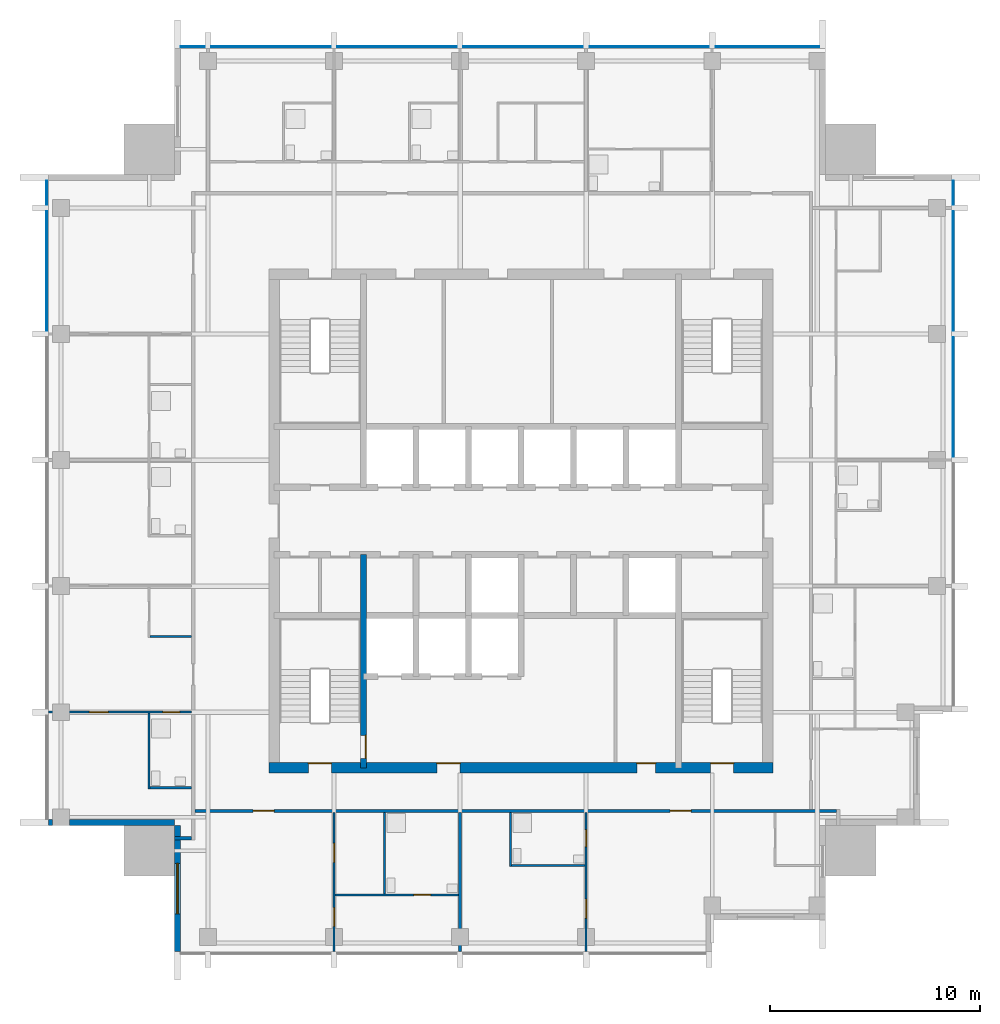
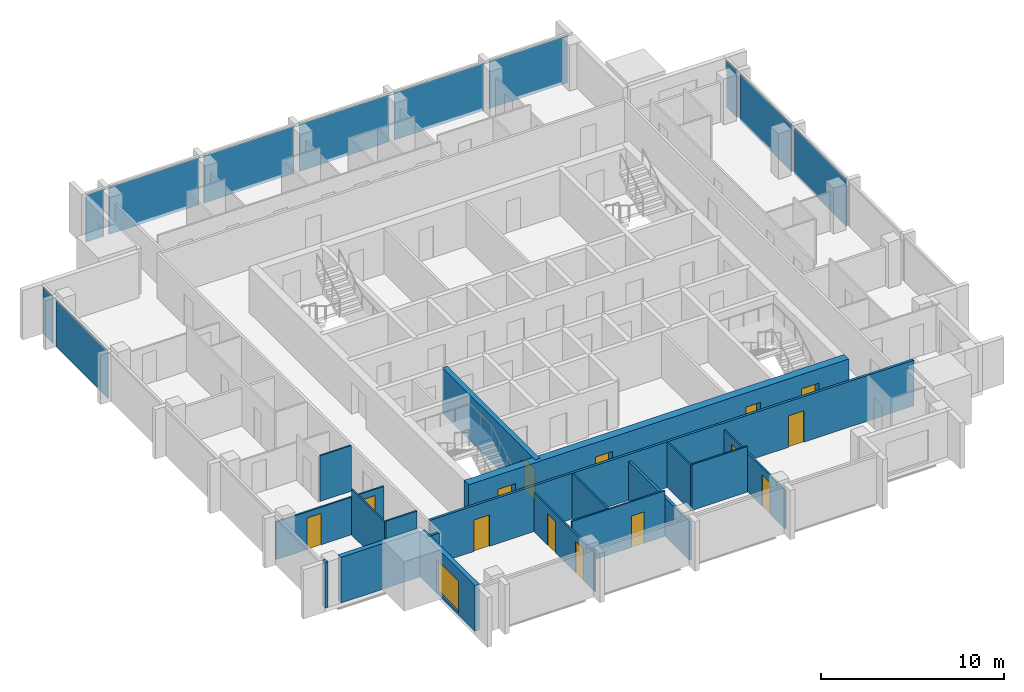
# One storey, part 3 of 9: 18 walls, 14 doors, 11 plates, 1 window, 15 openings, 3 elements without a shape of their own.
"""IFC4 building model written with IfcOpenShell, lengths in metres."""

from ifc_helpers import new_model, si_unit, direction, frame, frame_2d, origin, origin_2d, place, context, subcontext, project, spatial, rectangle, extrude, material, layer, layer_set, type_object, element, fill, aggregate, save


model = new_model("IFC4")

# Units and contexts
model_context = context("Model", 3, precision=1e-05, world=origin(), true_north=direction((0.0, 1.0)))
body_context = subcontext(model_context, "Body", "Model", "MODEL_VIEW")
ifc_project = project(units=[si_unit("LENGTHUNIT", "METRE"), si_unit("AREAUNIT", "SQUARE_METRE"), si_unit("VOLUMEUNIT", "CUBIC_METRE"), si_unit("PLANEANGLEUNIT", "RADIAN"), si_unit("MASSUNIT", "GRAM", prefix="KILO")], contexts=[model_context])

# Site, building, storey
site_placement = place(None, origin())
site = spatial("IfcSite", under=ifc_project, at=site_placement, CompositionType="ELEMENT")
building_placement = place(site_placement, origin())
building = spatial("IfcBuilding", under=site, at=building_placement, Name="Amberfall Residences", CompositionType="ELEMENT")
storey_placement = place(building_placement, frame((0.0, 0.0, 252.10009765625)))
storey = spatial("IfcBuildingStorey", under=building, at=storey_placement, Name="L67", CompositionType="ELEMENT", Elevation=252.10009765625)

# Curtain wall, plates
ifc_material_1 = material(Name="Bronze anodised aluminium and glass", Category="aluminium")
curtain_wall_type = type_object("IfcCurtainWallType", Name="Curtain wall CW1 tower unit", PredefinedType="USERDEFINED", material=ifc_material_1)
curtain_wall_1_placement = place(storey_placement, origin())
curtain_wall_1 = element("IfcCurtainWall", 1, at=curtain_wall_1_placement, inside=storey, type_object=curtain_wall_type, Name="Curtain wall L67 E E3", ObjectType="UNITISED CURTAIN WALL", PredefinedType="USERDEFINED")
ifc_material_2 = material(Name="Tinted double glazed unit", Category="glass")
ifc_layer_1 = layer(ifc_material_2, 0.035888671875)
ifc_layer_set_1 = layer_set([ifc_layer_1], Name="CW1 panel 36 glazing")
plate_type = type_object("IfcPlateType", Name="CW1 panel 36 glazing", PredefinedType="CURTAIN_PANEL", material=ifc_layer_set_1)
plate_1_placement = place(storey_placement, frame((95.074951171875, 51.39990234375, -0.25), z_axis=(0.0, 0.0, 1.0), x_axis=(0.0, 1.0, 0.0)))
plate_1 = element("IfcPlate", 2, at=plate_1_placement, type_object=plate_type, Name="CW1 panel 3.1", PredefinedType="CURTAIN_PANEL", context=body_context, shape_type="SweptSolid", body=[
    extrude(rectangle(XDim=5.676025390625, YDim=0.035888671875, at=origin_2d()), origin(), (0.0, 0.0, 1.0), 3.14990234375),
])
plate_2_placement = place(storey_placement, frame((95.074951171875, 57.39990234375, -0.25), z_axis=(0.0, 0.0, 1.0), x_axis=(0.0, 1.0, 0.0)))
plate_2 = element("IfcPlate", 3, at=plate_2_placement, type_object=plate_type, Name="CW1 panel 4.1", PredefinedType="CURTAIN_PANEL", context=body_context, shape_type="SweptSolid", body=[
    extrude(rectangle(XDim=5.676025390625, YDim=0.035888671875, at=origin_2d()), origin(), (0.0, 0.0, 1.0), 3.14990234375),
])
plate_3_placement = place(storey_placement, frame((95.074951171875, 61.125, -0.25), z_axis=(0.0, 0.0, 1.0), x_axis=(0.0, 1.0, 0.0)))
plate_3 = element("IfcPlate", 4, at=plate_3_placement, type_object=plate_type, Name="CW1 panel 5.1", PredefinedType="CURTAIN_PANEL", context=body_context, shape_type="SweptSolid", body=[
    extrude(rectangle(XDim=1.1259765625, YDim=0.035888671875, at=origin_2d()), origin(), (0.0, 0.0, 1.0), 3.14990234375),
])
aggregate(curtain_wall_1, [plate_1, plate_2, plate_3])

curtain_wall_2_placement = place(storey_placement, origin())
curtain_wall_2 = element("IfcCurtainWall", 5, at=curtain_wall_2_placement, inside=storey, type_object=curtain_wall_type, Name="Curtain wall L67 N N1", ObjectType="UNITISED CURTAIN WALL", PredefinedType="USERDEFINED")
plate_4_placement = place(storey_placement, frame((86.22509765625, 68.074951171875, -0.25), z_axis=(0.0, 0.0, 1.0), x_axis=(-1.0, 0.0, 0.0)))
plate_4 = element("IfcPlate", 6, at=plate_4_placement, type_object=plate_type, Name="CW1 panel 1.1", PredefinedType="CURTAIN_PANEL", context=body_context, shape_type="SweptSolid", body=[
    extrude(rectangle(XDim=4.926025390625, YDim=0.035888671875, at=origin_2d()), origin(), (0.0, 0.0, 1.0), 3.14990234375),
])
plate_5_placement = place(storey_placement, frame((80.60009765625, 68.074951171875, -0.25), z_axis=(0.0, 0.0, 1.0), x_axis=(-1.0, 0.0, 0.0)))
plate_5 = element("IfcPlate", 7, at=plate_5_placement, type_object=plate_type, Name="CW1 panel 2.1", PredefinedType="CURTAIN_PANEL", context=body_context, shape_type="SweptSolid", body=[
    extrude(rectangle(XDim=5.676025390625, YDim=0.035888671875, at=origin_2d()), origin(), (0.0, 0.0, 1.0), 3.14990234375),
])
plate_6_placement = place(storey_placement, frame((74.60009765625, 68.074951171875, -0.25), z_axis=(0.0, 0.0, 1.0), x_axis=(-1.0, 0.0, 0.0)))
plate_6 = element("IfcPlate", 8, at=plate_6_placement, type_object=plate_type, Name="CW1 panel 3.1", PredefinedType="CURTAIN_PANEL", context=body_context, shape_type="SweptSolid", body=[
    extrude(rectangle(XDim=5.676025390625, YDim=0.035888671875, at=origin_2d()), origin(), (0.0, 0.0, 1.0), 3.14990234375),
])
plate_7_placement = place(storey_placement, frame((68.60009765625, 68.074951171875, -0.25), z_axis=(0.0, 0.0, 1.0), x_axis=(-1.0, 0.0, 0.0)))
plate_7 = element("IfcPlate", 9, at=plate_7_placement, type_object=plate_type, Name="CW1 panel 4.1", PredefinedType="CURTAIN_PANEL", context=body_context, shape_type="SweptSolid", body=[
    extrude(rectangle(XDim=5.676025390625, YDim=0.035888671875, at=origin_2d()), origin(), (0.0, 0.0, 1.0), 3.14990234375),
])
plate_8_placement = place(storey_placement, frame((62.60009765625, 68.074951171875, -0.25), z_axis=(0.0, 0.0, 1.0), x_axis=(-1.0, 0.0, 0.0)))
plate_8 = element("IfcPlate", 10, at=plate_8_placement, type_object=plate_type, Name="CW1 panel 5.1", PredefinedType="CURTAIN_PANEL", context=body_context, shape_type="SweptSolid", body=[
    extrude(rectangle(XDim=5.676025390625, YDim=0.035888671875, at=origin_2d()), origin(), (0.0, 0.0, 1.0), 3.14990234375),
])
plate_9_placement = place(storey_placement, frame((58.875, 68.074951171875, -0.25), z_axis=(0.0, 0.0, 1.0), x_axis=(-1.0, 0.0, 0.0)))
plate_9 = element("IfcPlate", 11, at=plate_9_placement, type_object=plate_type, Name="CW1 panel 6.1", PredefinedType="CURTAIN_PANEL", context=body_context, shape_type="SweptSolid", body=[
    extrude(rectangle(XDim=1.1259765625, YDim=0.035888671875, at=origin_2d()), origin(), (0.0, 0.0, 1.0), 3.14990234375),
])
aggregate(curtain_wall_2, [plate_4, plate_5, plate_6, plate_7, plate_8, plate_9])

curtain_wall_3_placement = place(storey_placement, origin())
curtain_wall_3 = element("IfcCurtainWall", 12, at=curtain_wall_3_placement, inside=storey, type_object=curtain_wall_type, Name="Curtain wall L67 W W1", ObjectType="UNITISED CURTAIN WALL", PredefinedType="USERDEFINED")
plate_10_placement = place(storey_placement, frame((51.925048828125, 61.125, -0.25), z_axis=(0.0, 0.0, 1.0), x_axis=(0.0, -1.0, 0.0)))
plate_10 = element("IfcPlate", 13, at=plate_10_placement, type_object=plate_type, Name="CW1 panel 1.1", PredefinedType="CURTAIN_PANEL", context=body_context, shape_type="SweptSolid", body=[
    extrude(rectangle(XDim=1.1259765625, YDim=0.035888671875, at=origin_2d()), origin(), (0.0, 0.0, 1.0), 3.14990234375),
])
plate_11_placement = place(storey_placement, frame((51.925048828125, 57.39990234375, -0.25), z_axis=(0.0, 0.0, 1.0), x_axis=(0.0, -1.0, 0.0)))
plate_11 = element("IfcPlate", 14, at=plate_11_placement, type_object=plate_type, Name="CW1 panel 2.1", PredefinedType="CURTAIN_PANEL", context=body_context, shape_type="SweptSolid", body=[
    extrude(rectangle(XDim=5.676025390625, YDim=0.035888671875, at=origin_2d()), origin(), (0.0, 0.0, 1.0), 3.14990234375),
])
aggregate(curtain_wall_3, [plate_10, plate_11])

# Walls
ifc_material_3 = material(Name="Pale stone cladding on insulated backing", Category="masonry")
ifc_layer_2 = layer(ifc_material_3, 0.300048828125)
ifc_layer_set_2 = layer_set([ifc_layer_2], Name="Bronze clad wall 300")
wall_type_1 = type_object("IfcWallType", Name="Bronze clad wall 300", PredefinedType="SOLIDWALL", material=ifc_layer_set_2)
wall_1_placement = place(storey_placement, frame((52.0, 31.14990234375, 0.0), z_axis=(0.0, 0.0, 1.0), x_axis=(1.0, 0.0, 0.0)))
element("IfcWall", 15, at=wall_1_placement, inside=storey, type_object=wall_type_1, Name="External wall L67 SW", PredefinedType="SOLIDWALL", context=body_context, shape_type="SweptSolid", body=[
    extrude(rectangle(XDim=0.199951171875, YDim=0.300048828125, at=frame_2d((0.10009765625, 0.0))), origin(), (0.0, 0.0, 1.0), 3.0498046875),
])
wall_2_placement = place(storey_placement, frame((53.0, 31.14990234375, 0.0), z_axis=(0.0, 0.0, 1.0), x_axis=(1.0, 0.0, 0.0)))
element("IfcWall", 16, at=wall_2_placement, inside=storey, type_object=wall_type_1, Name="External wall L67 SW", PredefinedType="SOLIDWALL", context=body_context, shape_type="SweptSolid", body=[
    extrude(rectangle(XDim=5.0, YDim=0.300048828125, at=frame_2d((2.5, 0.0))), origin(), (0.0, 0.0, 1.0), 3.0498046875),
])

# Wall, opening, window
wall_3_placement = place(storey_placement, frame((58.14990234375, 31.0, 0.0), z_axis=(0.0, 0.0, 1.0), x_axis=(0.0, -1.0, 0.0)))
wall_3 = element("IfcWall", 17, at=wall_3_placement, inside=storey, type_object=wall_type_1, Name="External wall L67 SW", PredefinedType="SOLIDWALL", context=body_context, shape_type="SweptSolid", body=[
    extrude(rectangle(XDim=6.0, YDim=0.300048828125, at=frame_2d((3.0, 0.0))), origin(), (0.0, 0.0, 1.0), 3.0498046875),
])
opening_1_placement = place(wall_3_placement, frame((1.800048828125, 0.0, 0.14990234375)))
opening_1 = element("IfcOpeningElement", 18, at=opening_1_placement, cuts=wall_3, Name="Opening WN5", PredefinedType="OPENING", context=body_context, shape_type="SweptSolid", body=[
    extrude(rectangle(XDim=2.39990234375, YDim=2.10009765625, at=frame_2d((1.199951171875, 1.050048828125))), frame((0.0, 0.159912109375, 0.0), z_axis=(0.0, -1.0, 0.0), x_axis=(1.0, 0.0, 0.0)), (0.0, 0.0, 1.0), 0.320068359375),
])
ifc_material_4 = material(Name="Bronze aluminium framed glazing", Category="aluminium")
window_type = type_object("IfcWindowType", Name="Glazed opening 2400 x 2100 bronze", PartitioningType="DOUBLE_PANEL_VERTICAL", PredefinedType="WINDOW", material=ifc_material_4)
window_placement = place(opening_1_placement, origin())
window = element("IfcWindow", 19, at=window_placement, inside=storey, type_object=window_type, Name="Window L67 SW", OverallHeight=2.10009765625, OverallWidth=2.39990234375, PartitioningType="DOUBLE_PANEL_VERTICAL", PredefinedType="WINDOW", context=body_context, shape_type="SweptSolid", body=[
    extrude(rectangle(XDim=2.39990234375, YDim=2.10009765625, at=frame_2d((1.199951171875, 1.050048828125))), frame((0.0, 0.030029296875, 0.0), z_axis=(0.0, -1.0, 0.0), x_axis=(1.0, 0.0, 0.0)), (0.0, 0.0, 1.0), 0.06005859375),
])
fill(opening_1, window)

# Wall, opening, door
ifc_material_5 = material(Name="Concrete C50", Category="concrete")
ifc_layer_3 = layer(ifc_material_5, 0.300048828125)
ifc_layer_set_3 = layer_set([ifc_layer_3], Name="Core wall 300 C50")
wall_type_2 = type_object("IfcWallType", Name="Core wall 300 C50", PredefinedType="SHEAR", material=ifc_layer_set_3)
wall_4_placement = place(storey_placement, frame((67.0, 33.75, 0.0), z_axis=(0.0, 0.0, 1.0), x_axis=(0.0, 1.0, 0.0)))
wall_4 = element("IfcWall", 20, at=wall_4_placement, inside=storey, type_object=wall_type_2, Name="Core wall RW10 L67 V45S", PredefinedType="SHEAR", context=body_context, shape_type="SweptSolid", body=[
    extrude(rectangle(XDim=10.14990234375, YDim=0.300048828125, at=frame_2d((5.074951171875, 0.0))), origin(), (0.0, 0.0, 1.0), 3.0498046875),
])
opening_2_placement = place(wall_4_placement, frame((0.449951171875, 0.0, 0.0)))
opening_2 = element("IfcOpeningElement", 21, at=opening_2_placement, cuts=wall_4, Name="Opening FL1", PredefinedType="OPENING", context=body_context, shape_type="SweptSolid", body=[
    extrude(rectangle(XDim=1.10009765625, YDim=2.10009765625, at=frame_2d((0.550048828125, 1.050048828125))), frame((0.0, 0.159912109375, 0.0), z_axis=(0.0, -1.0, 0.0), x_axis=(1.0, 0.0, 0.0)), (0.0, 0.0, 1.0), 0.320068359375),
])
ifc_material_6 = material(Name="Steel fire door set", Category="steel")
door_type_1 = type_object("IfcDoorType", Name="Firefighting lobby door 1100 x 2100", OperationType="SINGLE_SWING_LEFT", PredefinedType="DOOR", material=ifc_material_6)
door_1_placement = place(opening_2_placement, origin())
door_1 = element("IfcDoor", 22, at=door_1_placement, inside=storey, type_object=door_type_1, Name="FL1 L67", OperationType="SINGLE_SWING_RIGHT", OverallHeight=2.10009765625, OverallWidth=1.10009765625, PredefinedType="DOOR", context=body_context, shape_type="SweptSolid", body=[
    extrude(rectangle(XDim=1.10009765625, YDim=2.10009765625, at=frame_2d((0.550048828125, 1.050048828125))), frame((0.0, -0.08740234375, 0.0), z_axis=(0.0, -1.0, 0.0), x_axis=(1.0, 0.0, 0.0)), (0.0, 0.0, 1.0), 0.050048828125),
])
fill(opening_2, door_1)

# Wall, openings, doors
ifc_layer_4 = layer(ifc_material_5, 0.5)
ifc_layer_set_4 = layer_set([ifc_layer_4], Name="Core wall 500 C50")
wall_type_3 = type_object("IfcWallType", Name="Core wall 500 C50", PredefinedType="SHEAR", material=ifc_layer_set_4)
wall_5_placement = place(storey_placement, frame((62.5, 33.75, 0.0), z_axis=(0.0, 0.0, 1.0), x_axis=(1.0, 0.0, 0.0)))
wall_5 = element("IfcWall", 23, at=wall_5_placement, inside=storey, type_object=wall_type_3, Name="Core wall RW9 L67 OS", PredefinedType="SHEAR", context=body_context, shape_type="SweptSolid", body=[
    extrude(rectangle(XDim=24.0, YDim=0.5, at=frame_2d((12.0, 0.0))), origin(), (0.0, 0.0, 1.0), 3.0498046875),
])
opening_3_placement = place(wall_5_placement, frame((1.875, 0.0, 0.0)))
opening_3 = element("IfcOpeningElement", 24, at=opening_3_placement, cuts=wall_5, Name="Opening SD1", PredefinedType="OPENING", context=body_context, shape_type="SweptSolid", body=[
    extrude(rectangle(XDim=1.10009765625, YDim=2.10009765625, at=frame_2d((0.550048828125, 1.050048828125))), frame((0.0, 0.260009765625, 0.0), z_axis=(0.0, -1.0, 0.0), x_axis=(1.0, 0.0, 0.0)), (0.0, 0.0, 1.0), 0.52001953125),
])
opening_4_placement = place(wall_5_placement, frame((21.02490234375, 0.0, 0.0)))
opening_4 = element("IfcOpeningElement", 25, at=opening_4_placement, cuts=wall_5, Name="Opening SD1", PredefinedType="OPENING", context=body_context, shape_type="SweptSolid", body=[
    extrude(rectangle(XDim=1.10009765625, YDim=2.10009765625, at=frame_2d((0.550048828125, 1.050048828125))), frame((0.0, 0.260009765625, 0.0), z_axis=(0.0, -1.0, 0.0), x_axis=(1.0, 0.0, 0.0)), (0.0, 0.0, 1.0), 0.52001953125),
])
opening_5_placement = place(wall_5_placement, frame((8.0, 0.0, 0.0)))
opening_5 = element("IfcOpeningElement", 26, at=opening_5_placement, cuts=wall_5, Name="Opening FL1", PredefinedType="OPENING", context=body_context, shape_type="SweptSolid", body=[
    extrude(rectangle(XDim=1.10009765625, YDim=2.10009765625, at=frame_2d((0.550048828125, 1.050048828125))), frame((0.0, 0.260009765625, 0.0), z_axis=(0.0, -1.0, 0.0), x_axis=(1.0, 0.0, 0.0)), (0.0, 0.0, 1.0), 0.52001953125),
])
opening_6_placement = place(wall_5_placement, frame((17.512451171875, 0.0, 0.0)))
opening_6 = element("IfcOpeningElement", 27, at=opening_6_placement, cuts=wall_5, Name="Opening RD1", PredefinedType="OPENING", context=body_context, shape_type="SweptSolid", body=[
    extrude(rectangle(XDim=0.89990234375, YDim=2.10009765625, at=frame_2d((0.449951171875, 1.050048828125))), frame((0.0, 0.260009765625, 0.0), z_axis=(0.0, -1.0, 0.0), x_axis=(1.0, 0.0, 0.0)), (0.0, 0.0, 1.0), 0.52001953125),
])
door_2_placement = place(opening_5_placement, origin())
door_2 = element("IfcDoor", 28, at=door_2_placement, inside=storey, type_object=door_type_1, Name="FL1 L67", OperationType="SINGLE_SWING_LEFT", OverallHeight=2.10009765625, OverallWidth=1.10009765625, PredefinedType="DOOR", context=body_context, shape_type="SweptSolid", body=[
    extrude(rectangle(XDim=1.10009765625, YDim=2.10009765625, at=frame_2d((0.550048828125, 1.050048828125))), frame((0.0, 0.2373046875, 0.0), z_axis=(0.0, -1.0, 0.0), x_axis=(1.0, 0.0, 0.0)), (0.0, 0.0, 1.0), 0.050048828125),
])
fill(opening_5, door_2)
door_type_2 = type_object("IfcDoorType", Name="Service room door 900 x 2100", OperationType="SINGLE_SWING_LEFT", PredefinedType="DOOR", material=ifc_material_6)
door_3_placement = place(opening_6_placement, origin())
door_3 = element("IfcDoor", 29, at=door_3_placement, inside=storey, type_object=door_type_2, Name="RD1 L67", OperationType="SINGLE_SWING_LEFT", OverallHeight=2.10009765625, OverallWidth=0.89990234375, PredefinedType="DOOR", context=body_context, shape_type="SweptSolid", body=[
    extrude(rectangle(XDim=0.89990234375, YDim=2.10009765625, at=frame_2d((0.449951171875, 1.050048828125))), frame((0.0, 0.2373046875, 0.0), z_axis=(0.0, -1.0, 0.0), x_axis=(1.0, 0.0, 0.0)), (0.0, 0.0, 1.0), 0.050048828125),
])
fill(opening_6, door_3)
door_type_3 = type_object("IfcDoorType", Name="Stair door 1100 x 2100", OperationType="SINGLE_SWING_LEFT", PredefinedType="DOOR", material=ifc_material_6)
door_4_placement = place(opening_3_placement, origin())
door_4 = element("IfcDoor", 30, at=door_4_placement, inside=storey, type_object=door_type_3, Name="SD1 L67", OperationType="SINGLE_SWING_LEFT", OverallHeight=2.10009765625, OverallWidth=1.10009765625, PredefinedType="DOOR", context=body_context, shape_type="SweptSolid", body=[
    extrude(rectangle(XDim=1.10009765625, YDim=2.10009765625, at=frame_2d((0.550048828125, 1.050048828125))), frame((0.0, 0.2373046875, 0.0), z_axis=(0.0, -1.0, 0.0), x_axis=(1.0, 0.0, 0.0)), (0.0, 0.0, 1.0), 0.050048828125),
])
fill(opening_3, door_4)
door_5_placement = place(opening_4_placement, origin())
door_5 = element("IfcDoor", 31, at=door_5_placement, inside=storey, type_object=door_type_3, Name="SD1 L67", OperationType="SINGLE_SWING_RIGHT", OverallHeight=2.10009765625, OverallWidth=1.10009765625, PredefinedType="DOOR", context=body_context, shape_type="SweptSolid", body=[
    extrude(rectangle(XDim=1.10009765625, YDim=2.10009765625, at=frame_2d((0.550048828125, 1.050048828125))), frame((0.0, 0.2373046875, 0.0), z_axis=(0.0, -1.0, 0.0), x_axis=(1.0, 0.0, 0.0)), (0.0, 0.0, 1.0), 0.050048828125),
])
fill(opening_4, door_5)

# Wall
ifc_material_7 = material(Name="Gypsum board on metal stud")
ifc_layer_5 = layer(ifc_material_7, 0.10009765625)
ifc_layer_set_5 = layer_set([ifc_layer_5], Name="Flat partition 100")
wall_type_4 = type_object("IfcWallType", Name="Flat partition 100", PredefinedType="PARTITIONING", material=ifc_layer_set_5)
wall_6_placement = place(storey_placement, frame((56.800048828125, 32.75, 0.0), z_axis=(0.0, 0.0, 1.0), x_axis=(0.0, 1.0, 0.0)))
element("IfcWall", 32, at=wall_6_placement, inside=storey, type_object=wall_type_4, Name="Partition 001", PredefinedType="PARTITIONING", context=body_context, shape_type="SweptSolid", body=[
    extrude(rectangle(XDim=3.60009765625, YDim=0.10009765625, at=frame_2d((1.800048828125, 0.0))), origin(), (0.0, 0.0, 1.0), 3.0498046875),
])

# Wall, openings, doors
wall_7_placement = place(storey_placement, frame((65.60009765625, 31.625, 0.0), z_axis=(0.0, 0.0, 1.0), x_axis=(0.0, -1.0, 0.0)))
wall_7 = element("IfcWall", 33, at=wall_7_placement, inside=storey, type_object=wall_type_4, Name="Partition 005", PredefinedType="PARTITIONING", context=body_context, shape_type="SweptSolid", body=[
    extrude(rectangle(XDim=6.625, YDim=0.10009765625, at=frame_2d((3.3125, 0.0))), origin(), (0.0, 0.0, 1.0), 2.58984375),
])
opening_7_placement = place(wall_7_placement, frame((1.47509765625, 0.0, 0.0)))
opening_7 = element("IfcOpeningElement", 34, at=opening_7_placement, cuts=wall_7, Name="Opening D41", PredefinedType="OPENING", context=body_context, shape_type="SweptSolid", body=[
    extrude(rectangle(XDim=0.89990234375, YDim=2.10009765625, at=frame_2d((0.449951171875, 1.050048828125))), frame((0.0, 0.06005859375, 0.0), z_axis=(0.0, -1.0, 0.0), x_axis=(1.0, 0.0, 0.0)), (0.0, 0.0, 1.0), 0.1201171875),
])
opening_8_placement = place(wall_7_placement, frame((4.52490234375, 0.0, 0.0)))
opening_8 = element("IfcOpeningElement", 35, at=opening_8_placement, cuts=wall_7, Name="Opening D41", PredefinedType="OPENING", context=body_context, shape_type="SweptSolid", body=[
    extrude(rectangle(XDim=0.89990234375, YDim=2.10009765625, at=frame_2d((0.449951171875, 1.050048828125))), frame((0.0, 0.06005859375, 0.0), z_axis=(0.0, -1.0, 0.0), x_axis=(1.0, 0.0, 0.0)), (0.0, 0.0, 1.0), 0.1201171875),
])
ifc_material_8 = material(Name="Timber", Category="wood")
door_type_4 = type_object("IfcDoorType", Name="Internal door 900 x 2100", OperationType="SINGLE_SWING_LEFT", PredefinedType="DOOR", material=ifc_material_8)
door_6_placement = place(opening_7_placement, origin())
door_6 = element("IfcDoor", 36, at=door_6_placement, inside=storey, type_object=door_type_4, Name="Door 6701 kitchen", OperationType="SINGLE_SWING_LEFT", OverallHeight=2.10009765625, OverallWidth=0.89990234375, PredefinedType="DOOR", context=body_context, shape_type="SweptSolid", body=[
    extrude(rectangle(XDim=0.89990234375, YDim=2.10009765625, at=frame_2d((0.449951171875, 1.050048828125))), frame((0.0, 0.02490234375, 0.0), z_axis=(0.0, -1.0, 0.0), x_axis=(1.0, 0.0, 0.0)), (0.0, 0.0, 1.0), 0.050048828125),
])
fill(opening_7, door_6)
door_7_placement = place(opening_8_placement, origin())
door_7 = element("IfcDoor", 37, at=door_7_placement, inside=storey, type_object=door_type_4, Name="Door 6701 bedroom1", OperationType="SINGLE_SWING_LEFT", OverallHeight=2.10009765625, OverallWidth=0.89990234375, PredefinedType="DOOR", context=body_context, shape_type="SweptSolid", body=[
    extrude(rectangle(XDim=0.89990234375, YDim=2.10009765625, at=frame_2d((0.449951171875, 1.050048828125))), frame((0.0, 0.02490234375, 0.0), z_axis=(0.0, -1.0, 0.0), x_axis=(1.0, 0.0, 0.0)), (0.0, 0.0, 1.0), 0.050048828125),
])
fill(opening_8, door_7)

# Walls
wall_8_placement = place(storey_placement, frame((68.0, 27.75, 0.0), z_axis=(0.0, 0.0, 1.0), x_axis=(0.0, 1.0, 0.0)))
element("IfcWall", 38, at=wall_8_placement, inside=storey, type_object=wall_type_4, Name="Partition 007", PredefinedType="PARTITIONING", context=body_context, shape_type="SweptSolid", body=[
    extrude(rectangle(XDim=3.875, YDim=0.10009765625, at=frame_2d((1.9375, 0.0))), origin(), (0.0, 0.0, 1.0), 3.0498046875),
])
wall_9_placement = place(storey_placement, frame((74.0, 29.050048828125, 0.0), z_axis=(0.0, 0.0, 1.0), x_axis=(0.0, 1.0, 0.0)))
element("IfcWall", 39, at=wall_9_placement, inside=storey, type_object=wall_type_4, Name="Partition 011", PredefinedType="PARTITIONING", context=body_context, shape_type="SweptSolid", body=[
    extrude(rectangle(XDim=2.574951171875, YDim=0.10009765625, at=frame_2d((1.28759765625, 0.0))), origin(), (0.0, 0.0, 1.0), 3.0498046875),
])

# Wall, openings, doors
wall_10_placement = place(storey_placement, frame((77.60009765625, 25.0, 0.0), z_axis=(0.0, 0.0, 1.0), x_axis=(0.0, 1.0, 0.0)))
wall_10 = element("IfcWall", 40, at=wall_10_placement, inside=storey, type_object=wall_type_4, Name="Partition 013", PredefinedType="PARTITIONING", context=body_context, shape_type="SweptSolid", body=[
    extrude(rectangle(XDim=6.625, YDim=0.10009765625, at=frame_2d((3.3125, 0.0))), origin(), (0.0, 0.0, 1.0), 2.58984375),
])
opening_9_placement = place(wall_10_placement, frame((1.60009765625, 0.0, 0.0)))
opening_9 = element("IfcOpeningElement", 41, at=opening_9_placement, cuts=wall_10, Name="Opening D41", PredefinedType="OPENING", context=body_context, shape_type="SweptSolid", body=[
    extrude(rectangle(XDim=0.89990234375, YDim=2.10009765625, at=frame_2d((0.449951171875, 1.050048828125))), frame((0.0, 0.06005859375, 0.0), z_axis=(0.0, -1.0, 0.0), x_axis=(1.0, 0.0, 0.0)), (0.0, 0.0, 1.0), 0.1201171875),
])
opening_10_placement = place(wall_10_placement, frame((5.0, 0.0, 0.0)))
opening_10 = element("IfcOpeningElement", 42, at=opening_10_placement, cuts=wall_10, Name="Opening D42", PredefinedType="OPENING", context=body_context, shape_type="SweptSolid", body=[
    extrude(rectangle(XDim=0.800048828125, YDim=2.10009765625, at=frame_2d((0.39990234375, 1.050048828125))), frame((0.0, 0.06005859375, 0.0), z_axis=(0.0, -1.0, 0.0), x_axis=(1.0, 0.0, 0.0)), (0.0, 0.0, 1.0), 0.1201171875),
])
door_type_5 = type_object("IfcDoorType", Name="Bathroom door 800 x 2100", OperationType="SINGLE_SWING_LEFT", PredefinedType="DOOR", material=ifc_material_8)
door_8_placement = place(opening_10_placement, origin())
door_8 = element("IfcDoor", 43, at=door_8_placement, inside=storey, type_object=door_type_5, Name="Door 6702 bath1", OperationType="SINGLE_SWING_LEFT", OverallHeight=2.10009765625, OverallWidth=0.800048828125, PredefinedType="DOOR", context=body_context, shape_type="SweptSolid", body=[
    extrude(rectangle(XDim=0.800048828125, YDim=2.10009765625, at=frame_2d((0.39990234375, 1.050048828125))), frame((0.0, 0.02490234375, 0.0), z_axis=(0.0, -1.0, 0.0), x_axis=(1.0, 0.0, 0.0)), (0.0, 0.0, 1.0), 0.050048828125),
])
fill(opening_10, door_8)
door_9_placement = place(opening_9_placement, origin())
door_9 = element("IfcDoor", 44, at=door_9_placement, inside=storey, type_object=door_type_4, Name="Door 6702 bedroom1", OperationType="SINGLE_SWING_LEFT", OverallHeight=2.10009765625, OverallWidth=0.89990234375, PredefinedType="DOOR", context=body_context, shape_type="SweptSolid", body=[
    extrude(rectangle(XDim=0.89990234375, YDim=2.10009765625, at=frame_2d((0.449951171875, 1.050048828125))), frame((0.0, 0.02490234375, 0.0), z_axis=(0.0, -1.0, 0.0), x_axis=(1.0, 0.0, 0.0)), (0.0, 0.0, 1.0), 0.050048828125),
])
fill(opening_9, door_9)

# Wall
wall_11_placement = place(storey_placement, frame((56.85009765625, 40.0, 0.0), z_axis=(0.0, 0.0, 1.0), x_axis=(1.0, 0.0, 0.0)))
element("IfcWall", 45, at=wall_11_placement, inside=storey, type_object=wall_type_4, Name="Partition 033", PredefinedType="PARTITIONING", context=body_context, shape_type="SweptSolid", body=[
    extrude(rectangle(XDim=1.974853515625, YDim=0.10009765625, at=frame_2d((0.9873046875, 0.0))), origin(), (0.0, 0.0, 1.0), 3.0498046875),
])

# Wall, openings, doors
wall_12_placement = place(storey_placement, frame((58.824951171875, 36.39990234375, 0.0), z_axis=(0.0, 0.0, 1.0), x_axis=(-1.0, 0.0, 0.0)))
wall_12 = element("IfcWall", 46, at=wall_12_placement, inside=storey, type_object=wall_type_4, Name="Partition 035", PredefinedType="PARTITIONING", context=body_context, shape_type="SweptSolid", body=[
    extrude(rectangle(XDim=6.824951171875, YDim=0.10009765625, at=frame_2d((3.41259765625, 0.0))), origin(), (0.0, 0.0, 1.0), 2.515869140625),
])
opening_11_placement = place(wall_12_placement, frame((3.97509765625, 0.0, 0.0)))
opening_11 = element("IfcOpeningElement", 47, at=opening_11_placement, cuts=wall_12, Name="Opening D41", PredefinedType="OPENING", context=body_context, shape_type="SweptSolid", body=[
    extrude(rectangle(XDim=0.89990234375, YDim=2.10009765625, at=frame_2d((0.449951171875, 1.050048828125))), frame((0.0, 0.06005859375, 0.0), z_axis=(0.0, -1.0, 0.0), x_axis=(1.0, 0.0, 0.0)), (0.0, 0.0, 1.0), 0.1201171875),
])
opening_12_placement = place(wall_12_placement, frame((0.574951171875, 0.0, 0.0)))
opening_12 = element("IfcOpeningElement", 48, at=opening_12_placement, cuts=wall_12, Name="Opening D42", PredefinedType="OPENING", context=body_context, shape_type="SweptSolid", body=[
    extrude(rectangle(XDim=0.800048828125, YDim=2.10009765625, at=frame_2d((0.39990234375, 1.050048828125))), frame((0.0, 0.06005859375, 0.0), z_axis=(0.0, -1.0, 0.0), x_axis=(1.0, 0.0, 0.0)), (0.0, 0.0, 1.0), 0.1201171875),
])
door_10_placement = place(opening_12_placement, origin())
door_10 = element("IfcDoor", 49, at=door_10_placement, inside=storey, type_object=door_type_5, Name="Door 6707 bath1", OperationType="SINGLE_SWING_LEFT", OverallHeight=2.10009765625, OverallWidth=0.800048828125, PredefinedType="DOOR", context=body_context, shape_type="SweptSolid", body=[
    extrude(rectangle(XDim=0.800048828125, YDim=2.10009765625, at=frame_2d((0.39990234375, 1.050048828125))), frame((0.0, 0.02490234375, 0.0), z_axis=(0.0, -1.0, 0.0), x_axis=(1.0, 0.0, 0.0)), (0.0, 0.0, 1.0), 0.050048828125),
])
fill(opening_12, door_10)
door_11_placement = place(opening_11_placement, origin())
door_11 = element("IfcDoor", 50, at=door_11_placement, inside=storey, type_object=door_type_4, Name="Door 6707 bedroom1", OperationType="SINGLE_SWING_LEFT", OverallHeight=2.10009765625, OverallWidth=0.89990234375, PredefinedType="DOOR", context=body_context, shape_type="SweptSolid", body=[
    extrude(rectangle(XDim=0.89990234375, YDim=2.10009765625, at=frame_2d((0.449951171875, 1.050048828125))), frame((0.0, 0.02490234375, 0.0), z_axis=(0.0, -1.0, 0.0), x_axis=(1.0, 0.0, 0.0)), (0.0, 0.0, 1.0), 0.050048828125),
])
fill(opening_11, door_11)

# Walls
wall_13_placement = place(storey_placement, frame((56.85009765625, 32.800048828125, 0.0), z_axis=(0.0, 0.0, 1.0), x_axis=(1.0, 0.0, 0.0)))
element("IfcWall", 51, at=wall_13_placement, inside=storey, type_object=wall_type_4, Name="Partition 037", PredefinedType="PARTITIONING", context=body_context, shape_type="SweptSolid", body=[
    extrude(rectangle(XDim=1.974853515625, YDim=0.10009765625, at=frame_2d((0.9873046875, 0.0))), origin(), (0.0, 0.0, 1.0), 3.0498046875),
])
wall_14_placement = place(storey_placement, frame((74.050048828125, 29.10009765625, 0.0), z_axis=(0.0, 0.0, 1.0), x_axis=(1.0, 0.0, 0.0)))
element("IfcWall", 52, at=wall_14_placement, inside=storey, type_object=wall_type_4, Name="Partition 038", PredefinedType="PARTITIONING", context=body_context, shape_type="SweptSolid", body=[
    extrude(rectangle(XDim=3.5, YDim=0.10009765625, at=frame_2d((1.75, 0.0))), origin(), (0.0, 0.0, 1.0), 3.0498046875),
])

# Wall, opening, door
wall_15_placement = place(storey_placement, frame((65.64990234375, 27.699951171875, 0.0), z_axis=(0.0, 0.0, 1.0), x_axis=(1.0, 0.0, 0.0)))
wall_15 = element("IfcWall", 53, at=wall_15_placement, inside=storey, type_object=wall_type_4, Name="Partition 040", PredefinedType="PARTITIONING", context=body_context, shape_type="SweptSolid", body=[
    extrude(rectangle(XDim=5.875, YDim=0.10009765625, at=frame_2d((2.9375, 0.0))), origin(), (0.0, 0.0, 1.0), 3.0498046875),
])
opening_13_placement = place(wall_15_placement, frame((3.75, 0.0, 0.0)))
opening_13 = element("IfcOpeningElement", 54, at=opening_13_placement, cuts=wall_15, Name="Opening D42", PredefinedType="OPENING", context=body_context, shape_type="SweptSolid", body=[
    extrude(rectangle(XDim=0.800048828125, YDim=2.10009765625, at=frame_2d((0.39990234375, 1.050048828125))), frame((0.0, 0.06005859375, 0.0), z_axis=(0.0, -1.0, 0.0), x_axis=(1.0, 0.0, 0.0)), (0.0, 0.0, 1.0), 0.1201171875),
])
door_12_placement = place(opening_13_placement, origin())
door_12 = element("IfcDoor", 55, at=door_12_placement, inside=storey, type_object=door_type_5, Name="Door 6701 bath1", OperationType="SINGLE_SWING_LEFT", OverallHeight=2.10009765625, OverallWidth=0.800048828125, PredefinedType="DOOR", context=body_context, shape_type="SweptSolid", body=[
    extrude(rectangle(XDim=0.800048828125, YDim=2.10009765625, at=frame_2d((0.39990234375, 1.050048828125))), frame((0.0, 0.02490234375, 0.0), z_axis=(0.0, -1.0, 0.0), x_axis=(1.0, 0.0, 0.0)), (0.0, 0.0, 1.0), 0.050048828125),
])
fill(opening_13, door_12)

# Wall
ifc_material_9 = material(Name="Blockwork, plastered", Category="masonry")
ifc_layer_6 = layer(ifc_material_9, 0.14990234375)
ifc_layer_set_6 = layer_set([ifc_layer_6], Name="Flat separating wall 150")
wall_type_5 = type_object("IfcWallType", Name="Flat separating wall 150", PredefinedType="PARTITIONING", material=ifc_layer_set_6)
wall_16_placement = place(storey_placement, frame((71.60009765625, 25.0, 0.0), z_axis=(0.0, 0.0, 1.0), x_axis=(0.0, 1.0, 0.0)))
element("IfcWall", 56, at=wall_16_placement, inside=storey, type_object=wall_type_5, Name="Separating wall 043", PredefinedType="PARTITIONING", context=body_context, shape_type="SweptSolid", body=[
    extrude(rectangle(XDim=6.625, YDim=0.14990234375, at=frame_2d((3.3125, 0.0))), origin(), (0.0, 0.0, 1.0), 2.58984375),
])

# Wall, openings, doors
wall_17_placement = place(storey_placement, frame((89.52490234375, 31.699951171875, 0.0), z_axis=(0.0, 0.0, 1.0), x_axis=(-1.0, 0.0, 0.0)))
wall_17 = element("IfcWall", 57, at=wall_17_placement, inside=storey, type_object=wall_type_5, Name="Separating wall 051", PredefinedType="PARTITIONING", context=body_context, shape_type="SweptSolid", body=[
    extrude(rectangle(XDim=30.5498046875, YDim=0.14990234375, at=frame_2d((15.27490234375, 0.0))), origin(), (0.0, 0.0, 1.0), 3.0498046875),
])
opening_14_placement = place(wall_17_placement, frame((26.77490234375, 0.0, 0.0)))
opening_14 = element("IfcOpeningElement", 58, at=opening_14_placement, cuts=wall_17, Name="Opening D40", PredefinedType="OPENING", context=body_context, shape_type="SweptSolid", body=[
    extrude(rectangle(XDim=1.0, YDim=2.10009765625, at=frame_2d((0.5, 1.050048828125))), frame((0.0, 0.0849609375, 0.0), z_axis=(0.0, -1.0, 0.0), x_axis=(1.0, 0.0, 0.0)), (0.0, 0.0, 1.0), 0.169921875),
])
opening_15_placement = place(wall_17_placement, frame((6.925048828125, 0.0, 0.0)))
opening_15 = element("IfcOpeningElement", 59, at=opening_15_placement, cuts=wall_17, Name="Opening D40", PredefinedType="OPENING", context=body_context, shape_type="SweptSolid", body=[
    extrude(rectangle(XDim=1.0, YDim=2.10009765625, at=frame_2d((0.5, 1.050048828125))), frame((0.0, 0.0849609375, 0.0), z_axis=(0.0, -1.0, 0.0), x_axis=(1.0, 0.0, 0.0)), (0.0, 0.0, 1.0), 0.169921875),
])
ifc_material_10 = material(Name="Timber, fire-rated", Category="wood")
door_type_6 = type_object("IfcDoorType", Name="Flat entrance door FD60 1000 x 2100", OperationType="SINGLE_SWING_LEFT", PredefinedType="DOOR", material=ifc_material_10)
door_13_placement = place(opening_14_placement, origin())
door_13 = element("IfcDoor", 60, at=door_13_placement, inside=storey, type_object=door_type_6, Name="Door 6701 entrance", OperationType="SINGLE_SWING_LEFT", OverallHeight=2.10009765625, OverallWidth=1.0, PredefinedType="DOOR", context=body_context, shape_type="SweptSolid", body=[
    extrude(rectangle(XDim=1.0, YDim=2.10009765625, at=frame_2d((0.5, 1.050048828125))), frame((0.0, 0.02490234375, 0.0), z_axis=(0.0, -1.0, 0.0), x_axis=(1.0, 0.0, 0.0)), (0.0, 0.0, 1.0), 0.050048828125),
])
fill(opening_14, door_13)
door_14_placement = place(opening_15_placement, origin())
door_14 = element("IfcDoor", 61, at=door_14_placement, inside=storey, type_object=door_type_6, Name="Door 6702 entrance", OperationType="SINGLE_SWING_LEFT", OverallHeight=2.10009765625, OverallWidth=1.0, PredefinedType="DOOR", context=body_context, shape_type="SweptSolid", body=[
    extrude(rectangle(XDim=1.0, YDim=2.10009765625, at=frame_2d((0.5, 1.050048828125))), frame((0.0, 0.02490234375, 0.0), z_axis=(0.0, -1.0, 0.0), x_axis=(1.0, 0.0, 0.0)), (0.0, 0.0, 1.0), 0.050048828125),
])
fill(opening_15, door_14)

# Wall
wall_18_placement = place(storey_placement, frame((58.0, 30.39990234375, 0.0), z_axis=(0.0, 0.0, 1.0), x_axis=(1.0, 0.0, 0.0)))
element("IfcWall", 62, at=wall_18_placement, inside=storey, type_object=wall_type_5, Name="Separating wall 052", PredefinedType="PARTITIONING", context=body_context, shape_type="SweptSolid", body=[
    extrude(rectangle(XDim=0.824951171875, YDim=0.14990234375, at=frame_2d((0.41259765625, 0.0))), origin(), (0.0, 0.0, 1.0), 3.0498046875),
])

save(model, "model.ifc")
